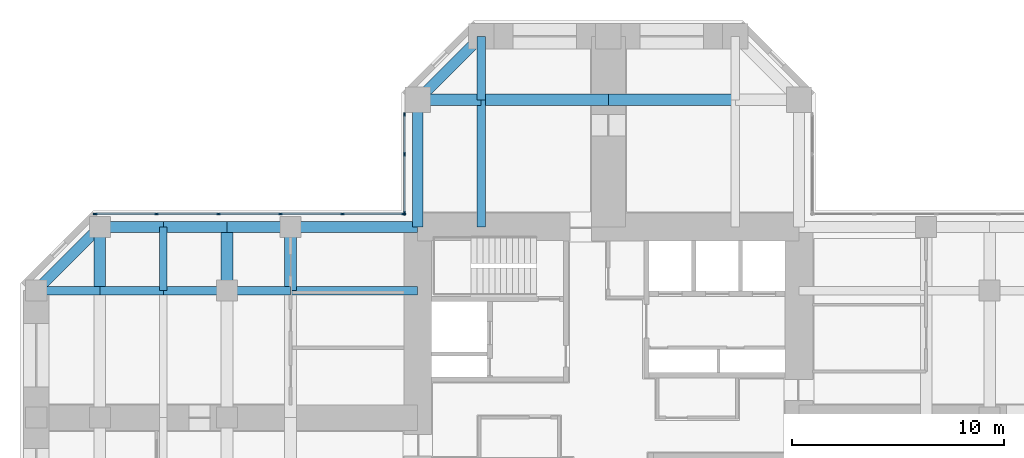
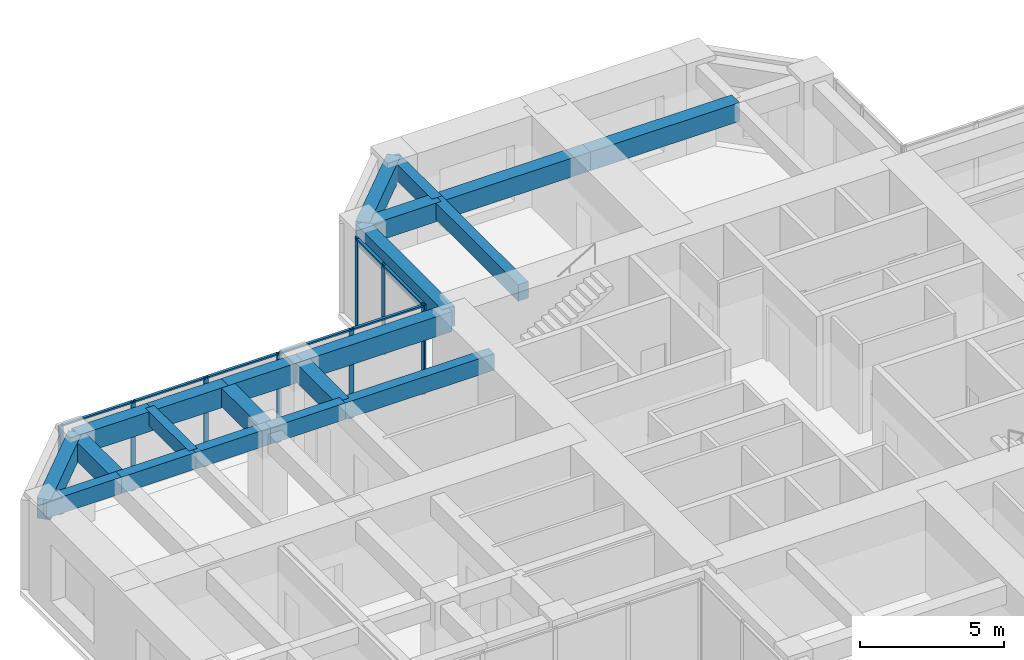
# One storey, part 5 of 12: 21 beams, 16 members, 2 elements without a shape of their own.
"""IFC4 building model written with IfcOpenShell, lengths in metres."""

from ifc_helpers import new_model, si_unit, direction, frame, origin, origin_2d, place, context, subcontext, project, spatial, rectangle, extrude, material, material_profile, profile_set, type_object, element, aggregate, save


model = new_model("IFC4")

# Units and contexts
model_context = context("Model", 3, precision=1e-05, world=origin(), true_north=direction((0.0, 1.0)))
body_context = subcontext(model_context, "Body", "Model", "MODEL_VIEW")
ifc_project = project(units=[si_unit("LENGTHUNIT", "METRE"), si_unit("AREAUNIT", "SQUARE_METRE"), si_unit("VOLUMEUNIT", "CUBIC_METRE"), si_unit("PLANEANGLEUNIT", "RADIAN"), si_unit("MASSUNIT", "GRAM", prefix="KILO")], contexts=[model_context])

# Site, building, storey
site_placement = place(None, origin())
site = spatial("IfcSite", under=ifc_project, at=site_placement, CompositionType="ELEMENT")
building_placement = place(site_placement, origin())
building = spatial("IfcBuilding", under=site, at=building_placement, Name="Torre Cruceta", CompositionType="ELEMENT")
storey_placement = place(building_placement, frame((0.0, 0.0, 104.5)))
storey = spatial("IfcBuildingStorey", under=building, at=storey_placement, Name="L25", CompositionType="ELEMENT", Elevation=104.5)

# Beams
ifc_material_1 = material(Name="Concrete G60 (fck 60 MPa)", Category="concrete")
ifc_material_profile_1 = material_profile(ifc_material_1, rectangle(XDim=0.39990234375, YDim=0.699951171875, at=origin_2d()), Name="RC 400X700")
ifc_profile_set_1 = profile_set([ifc_material_profile_1], Name="Concrete G60 (fck 60 MPa)")
beam_type_1 = type_object("IfcBeamType", Name="COLUMN LINE BEAM RC 400X700", PredefinedType="BEAM", material=ifc_profile_set_1)
beam_1_placement = place(storey_placement, frame((-6.0, 9.0, 3.449951171875), z_axis=(0.0, 1.0, 0.0), x_axis=(-1.0, 0.0, 0.0)))
element("IfcBeam", 1, at=beam_1_placement, inside=storey, type_object=beam_type_1, Name="LB5 L25 N col+ 1", PredefinedType="BEAM", context=body_context, shape_type="SweptSolid", body=[
    extrude(rectangle(XDim=0.39990234375, YDim=0.699951171875, at=origin_2d()), origin(), (0.0, 0.0, 1.0), 6.0),
])
beam_2_placement = place(storey_placement, frame((-6.0, 15.0, 3.449951171875), z_axis=(0.0, 1.0, 0.0), x_axis=(-1.0, 0.0, 0.0)))
element("IfcBeam", 2, at=beam_2_placement, inside=storey, type_object=beam_type_1, Name="LB5 L25 N col+ 2", PredefinedType="BEAM", context=body_context, shape_type="SweptSolid", body=[
    extrude(rectangle(XDim=0.39990234375, YDim=0.699951171875, at=origin_2d()), origin(), (0.0, 0.0, 1.0), 3.0),
])
beam_3_placement = place(storey_placement, frame((-9.0, 6.0, 3.449951171875), z_axis=(-1.0, 0.0, 0.0), x_axis=(0.0, -1.0, 0.0)))
element("IfcBeam", 3, at=beam_3_placement, inside=storey, type_object=beam_type_1, Name="LB5 L25 W col- 1", PredefinedType="BEAM", context=body_context, shape_type="SweptSolid", body=[
    extrude(rectangle(XDim=0.39990234375, YDim=0.699951171875, at=origin_2d()), origin(), (0.0, 0.0, 1.0), 6.0),
])
for number, where, z_axis, x_axis, name in (
    (4, (-15.0, 6.0, 3.449951171875), (-1.0, 0.0, 0.0), (0.0, -1.0, 0.0), "LB5 L25 W col- 2"),
    (5, (-18.0, 6.0, 3.449951171875), (-1.0, 0.0, 0.0), (0.0, -1.0, 0.0), "LB5 L25 W col- 3"),
    (6, (-21.0, 6.0, 3.449951171875), (-1.0, 0.0, 0.0), (0.0, -1.0, 0.0), "LB5 L25 W col- 4"),
    (7, (-24.0, 6.0, 3.449951171875), (-1.0, 0.0, 0.0), (0.0, -1.0, 0.0), "LB5 L25 W col- 5"),
):
    element("IfcBeam", number, at=place(storey_placement, frame(where, z_axis=z_axis, x_axis=x_axis)), inside=storey, type_object=beam_type_1, Name=name, PredefinedType="BEAM", context=body_context, shape_type="SweptSolid", body=[
        extrude(rectangle(XDim=0.39990234375, YDim=0.699951171875, at=origin_2d()), origin(), (0.0, 0.0, 1.0), 3.0),
    ])
ifc_material_2 = material(Name="Concrete G60 (fck 60 MPa)", Category="concrete")
ifc_material_profile_2 = material_profile(ifc_material_2, rectangle(XDim=0.550048828125, YDim=0.800048828125, at=origin_2d()), Name="RC 550X800")
ifc_profile_set_2 = profile_set([ifc_material_profile_2], Name="Concrete G60 (fck 60 MPa)")
beam_type_2 = type_object("IfcBeamType", Name="CROSS BEAM RC 550X800", PredefinedType="BEAM", material=ifc_profile_set_2)
for number, where, z_axis, x_axis, name in (
    (8, (6.0, 15.0, 3.39990234375), (-1.0, 0.0, 0.0), (0.0, -1.0, 0.0), "GB5 L25 N cross15 2"),
    (9, (0.0, 15.0, 3.39990234375), (-1.0, 0.0, 0.0), (0.0, -1.0, 0.0), "GB5 L25 N cross15 3"),
):
    element("IfcBeam", number, at=place(storey_placement, frame(where, z_axis=z_axis, x_axis=x_axis)), inside=storey, type_object=beam_type_2, Name=name, PredefinedType="BEAM", context=body_context, shape_type="SweptSolid", body=[
        extrude(rectangle(XDim=0.550048828125, YDim=0.800048828125, at=origin_2d()), origin(), (0.0, 0.0, 1.0), 6.0),
    ])
for number, where, z_axis, x_axis, name in (
    (10, (-6.0, 15.0, 3.39990234375), (-1.0, 0.0, 0.0), (0.0, -1.0, 0.0), "GB5 L25 N cross15 4"),
    (11, (-15.0, 9.0, 3.39990234375), (0.0, -1.0, 0.0), (1.0, 0.0, 0.0), "GB5 L25 W cross15 1"),
    (12, (-18.0, 9.0, 3.39990234375), (0.0, -1.0, 0.0), (1.0, 0.0, 0.0), "GB5 L25 W cross18 1"),
    (13, (-24.0, 9.0, 3.39990234375), (0.0, -1.0, 0.0), (1.0, 0.0, 0.0), "GB5 L25 W cross24 1"),
):
    element("IfcBeam", number, at=place(storey_placement, frame(where, z_axis=z_axis, x_axis=x_axis)), inside=storey, type_object=beam_type_2, Name=name, PredefinedType="BEAM", context=body_context, shape_type="SweptSolid", body=[
        extrude(rectangle(XDim=0.550048828125, YDim=0.800048828125, at=origin_2d()), origin(), (0.0, 0.0, 1.0), 3.0),
    ])

# Curtain wall, members
ifc_material_3 = material(Name="Aluminium unitised curtain wall", Category="aluminium")
curtain_wall_type = type_object("IfcCurtainWallType", Name="CURTAIN WALL CW-B OFFICE MID RISE", PredefinedType="USERDEFINED", material=ifc_material_3)
curtain_wall_1_placement = place(storey_placement, origin())
curtain_wall_1 = element("IfcCurtainWall", 14, at=curtain_wall_1_placement, inside=storey, type_object=curtain_wall_type, Name="CW-B L25 N side 09", ObjectType="UNITISED", PredefinedType="USERDEFINED")
ifc_material_4 = material(Name="Aluminium mullion", Category="aluminium")
ifc_material_profile_3 = material_profile(ifc_material_4, rectangle(XDim=0.06494140625, YDim=0.179931640625, at=origin_2d()), Name="AL 65X180")
ifc_profile_set_3 = profile_set([ifc_material_profile_3], Name="Aluminium mullion")
member_type_1 = type_object("IfcMemberType", Name="CW-B MULLION 65X180", PredefinedType="MULLION", material=ifc_profile_set_3)
member_1_placement = place(storey_placement, frame((-9.6201171875, 14.30908203125, 0.0), z_axis=(0.0, 0.0, 1.0), x_axis=(1.0, 0.0, 0.0)))
member_1 = element("IfcMember", 15, at=member_1_placement, type_object=member_type_1, Name="CW-B mullion 1", PredefinedType="MULLION", context=body_context, shape_type="SweptSolid", body=[
    extrude(rectangle(XDim=0.06494140625, YDim=0.179931640625, at=origin_2d()), origin(), (0.0, 0.0, 1.0), 3.800048828125),
])
member_2_placement = place(storey_placement, frame((-9.6201171875, 12.4384765625, 0.0), z_axis=(0.0, 0.0, 1.0), x_axis=(1.0, 0.0, 0.0)))
member_2 = element("IfcMember", 16, at=member_2_placement, type_object=member_type_1, Name="CW-B mullion 2", PredefinedType="MULLION", context=body_context, shape_type="SweptSolid", body=[
    extrude(rectangle(XDim=0.06494140625, YDim=0.179931640625, at=origin_2d()), origin(), (0.0, 0.0, 1.0), 3.800048828125),
])
member_3_placement = place(storey_placement, frame((-9.6201171875, 9.652587890625, 0.0), z_axis=(0.0, 0.0, 1.0), x_axis=(1.0, 0.0, 0.0)))
member_3 = element("IfcMember", 17, at=member_3_placement, type_object=member_type_1, Name="CW-B mullion 3", PredefinedType="MULLION", context=body_context, shape_type="SweptSolid", body=[
    extrude(rectangle(XDim=0.06494140625, YDim=0.179931640625, at=origin_2d()), origin(), (0.0, 0.0, 1.0), 3.800048828125),
])

curtain_wall_2_placement = place(storey_placement, origin())
curtain_wall_2 = element("IfcCurtainWall", 18, at=curtain_wall_2_placement, inside=storey, type_object=curtain_wall_type, Name="CW-B L25 W side 10", ObjectType="UNITISED", PredefinedType="USERDEFINED")
member_4_placement = place(storey_placement, frame((-9.652587890625, 9.6201171875, 0.0), z_axis=(0.0, 0.0, 1.0), x_axis=(0.0, -1.0, 0.0)))
member_4 = element("IfcMember", 19, at=member_4_placement, type_object=member_type_1, Name="CW-B mullion 1", PredefinedType="MULLION", context=body_context, shape_type="SweptSolid", body=[
    extrude(rectangle(XDim=0.06494140625, YDim=0.179931640625, at=origin_2d()), origin(), (0.0, 0.0, 1.0), 3.800048828125),
])
member_5_placement = place(storey_placement, frame((-12.54736328125, 9.6201171875, 0.0), z_axis=(0.0, 0.0, 1.0), x_axis=(0.0, -1.0, 0.0)))
member_5 = element("IfcMember", 20, at=member_5_placement, type_object=member_type_1, Name="CW-B mullion 2", PredefinedType="MULLION", context=body_context, shape_type="SweptSolid", body=[
    extrude(rectangle(XDim=0.06494140625, YDim=0.179931640625, at=origin_2d()), origin(), (0.0, 0.0, 1.0), 3.800048828125),
])
member_6_placement = place(storey_placement, frame((-15.474609375, 9.6201171875, 0.0), z_axis=(0.0, 0.0, 1.0), x_axis=(0.0, -1.0, 0.0)))
member_6 = element("IfcMember", 21, at=member_6_placement, type_object=member_type_1, Name="CW-B mullion 3", PredefinedType="MULLION", context=body_context, shape_type="SweptSolid", body=[
    extrude(rectangle(XDim=0.06494140625, YDim=0.179931640625, at=origin_2d()), origin(), (0.0, 0.0, 1.0), 3.800048828125),
])
member_7_placement = place(storey_placement, frame((-18.402099609375, 9.6201171875, 0.0), z_axis=(0.0, 0.0, 1.0), x_axis=(0.0, -1.0, 0.0)))
member_7 = element("IfcMember", 22, at=member_7_placement, type_object=member_type_1, Name="CW-B mullion 4", PredefinedType="MULLION", context=body_context, shape_type="SweptSolid", body=[
    extrude(rectangle(XDim=0.06494140625, YDim=0.179931640625, at=origin_2d()), origin(), (0.0, 0.0, 1.0), 3.800048828125),
])
member_8_placement = place(storey_placement, frame((-21.329345703125, 9.6201171875, 0.0), z_axis=(0.0, 0.0, 1.0), x_axis=(0.0, -1.0, 0.0)))
member_8 = element("IfcMember", 23, at=member_8_placement, type_object=member_type_1, Name="CW-B mullion 5", PredefinedType="MULLION", context=body_context, shape_type="SweptSolid", body=[
    extrude(rectangle(XDim=0.06494140625, YDim=0.179931640625, at=origin_2d()), origin(), (0.0, 0.0, 1.0), 3.800048828125),
])
member_9_placement = place(storey_placement, frame((-24.224365234375, 9.6201171875, 0.0), z_axis=(0.0, 0.0, 1.0), x_axis=(0.0, -1.0, 0.0)))
member_9 = element("IfcMember", 24, at=member_9_placement, type_object=member_type_1, Name="CW-B mullion 6", PredefinedType="MULLION", context=body_context, shape_type="SweptSolid", body=[
    extrude(rectangle(XDim=0.06494140625, YDim=0.179931640625, at=origin_2d()), origin(), (0.0, 0.0, 1.0), 3.800048828125),
])

# Member
ifc_material_5 = material(Name="Aluminium transom", Category="aluminium")
ifc_material_profile_4 = material_profile(ifc_material_5, rectangle(XDim=0.110107421875, YDim=0.06494140625, at=origin_2d()), Name="AL 110X65")
ifc_profile_set_4 = profile_set([ifc_material_profile_4], Name="Aluminium transom")
member_type_2 = type_object("IfcMemberType", Name="CW-B TRANSOM 65X110", PredefinedType="USERDEFINED", material=ifc_profile_set_4)
member_10_placement = place(storey_placement, frame((-9.6201171875, 14.276611328125, 3.767578125), z_axis=(0.0, -1.0, 0.0), x_axis=(1.0, 0.0, 0.0)))
member_10 = element("IfcMember", 25, at=member_10_placement, type_object=member_type_2, Name="CW-B transom 1", ObjectType="TRANSOM", PredefinedType="USERDEFINED", context=body_context, shape_type="SweptSolid", body=[
    extrude(rectangle(XDim=0.110107421875, YDim=0.06494140625, at=origin_2d()), origin(), (0.0, 0.0, 1.0), 1.8056640625),
])

member_11_placement = place(storey_placement, frame((-9.6201171875, 12.406005859375, 3.767578125), z_axis=(0.0, -1.0, 0.0), x_axis=(1.0, 0.0, 0.0)))
member_11 = element("IfcMember", 26, at=member_11_placement, type_object=member_type_2, Name="CW-B transom 2", ObjectType="TRANSOM", PredefinedType="USERDEFINED", context=body_context, shape_type="SweptSolid", body=[
    extrude(rectangle(XDim=0.110107421875, YDim=0.06494140625, at=origin_2d()), origin(), (0.0, 0.0, 1.0), 2.720947265625),
])

aggregate(curtain_wall_1, [member_1, member_2, member_3, member_10, member_11])

member_12_placement = place(storey_placement, frame((-9.68505859375, 9.6201171875, 3.767578125), z_axis=(-1.0, 0.0, 0.0), x_axis=(0.0, -1.0, 0.0)))
member_12 = element("IfcMember", 27, at=member_12_placement, type_object=member_type_2, Name="CW-B transom 1", ObjectType="TRANSOM", PredefinedType="USERDEFINED", context=body_context, shape_type="SweptSolid", body=[
    extrude(rectangle(XDim=0.110107421875, YDim=0.06494140625, at=origin_2d()), origin(), (0.0, 0.0, 1.0), 2.829833984375),
])

member_13_placement = place(storey_placement, frame((-12.579833984375, 9.6201171875, 3.767578125), z_axis=(-1.0, 0.0, 0.0), x_axis=(0.0, -1.0, 0.0)))
member_13 = element("IfcMember", 28, at=member_13_placement, type_object=member_type_2, Name="CW-B transom 2", ObjectType="TRANSOM", PredefinedType="USERDEFINED", context=body_context, shape_type="SweptSolid", body=[
    extrude(rectangle(XDim=0.110107421875, YDim=0.06494140625, at=origin_2d()), origin(), (0.0, 0.0, 1.0), 2.8623046875),
])

member_14_placement = place(storey_placement, frame((-15.50732421875, 9.6201171875, 3.767578125), z_axis=(-1.0, 0.0, 0.0), x_axis=(0.0, -1.0, 0.0)))
member_14 = element("IfcMember", 29, at=member_14_placement, type_object=member_type_2, Name="CW-B transom 3", ObjectType="TRANSOM", PredefinedType="USERDEFINED", context=body_context, shape_type="SweptSolid", body=[
    extrude(rectangle(XDim=0.110107421875, YDim=0.06494140625, at=origin_2d()), origin(), (0.0, 0.0, 1.0), 2.8623046875),
])

member_15_placement = place(storey_placement, frame((-18.4345703125, 9.6201171875, 3.767578125), z_axis=(-1.0, 0.0, 0.0), x_axis=(0.0, -1.0, 0.0)))
member_15 = element("IfcMember", 30, at=member_15_placement, type_object=member_type_2, Name="CW-B transom 4", ObjectType="TRANSOM", PredefinedType="USERDEFINED", context=body_context, shape_type="SweptSolid", body=[
    extrude(rectangle(XDim=0.110107421875, YDim=0.06494140625, at=origin_2d()), origin(), (0.0, 0.0, 1.0), 2.8623046875),
])

member_16_placement = place(storey_placement, frame((-21.362060546875, 9.6201171875, 3.767578125), z_axis=(-1.0, 0.0, 0.0), x_axis=(0.0, -1.0, 0.0)))
member_16 = element("IfcMember", 31, at=member_16_placement, type_object=member_type_2, Name="CW-B transom 5", ObjectType="TRANSOM", PredefinedType="USERDEFINED", context=body_context, shape_type="SweptSolid", body=[
    extrude(rectangle(XDim=0.110107421875, YDim=0.06494140625, at=origin_2d()), origin(), (0.0, 0.0, 1.0), 2.829833984375),
])

aggregate(curtain_wall_2, [member_4, member_5, member_6, member_7, member_8, member_9, member_12, member_13, member_14, member_15, member_16])

# Beams
ifc_material_6 = material(Name="Concrete G60 (fck 60 MPa)", Category="concrete")
ifc_material_profile_5 = material_profile(ifc_material_6, rectangle(XDim=0.35009765625, YDim=0.60009765625, at=origin_2d()), Name="RC 350X600")
ifc_profile_set_5 = profile_set([ifc_material_profile_5], Name="Concrete G60 (fck 60 MPa)")
beam_type_3 = type_object("IfcBeamType", Name="SECONDARY BEAM RC 350X600", PredefinedType="JOIST", material=ifc_profile_set_5)
beam_4_placement = place(storey_placement, frame((-21.0, 9.0, 3.5), z_axis=(0.0, -1.0, 0.0), x_axis=(1.0, 0.0, 0.0)))
element("IfcBeam", 32, at=beam_4_placement, inside=storey, type_object=beam_type_3, Name="JB5 L25 W sec21 1", PredefinedType="JOIST", context=body_context, shape_type="SweptSolid", body=[
    extrude(rectangle(XDim=0.35009765625, YDim=0.60009765625, at=origin_2d()), origin(), (0.0, 0.0, 1.0), 3.0),
])
ifc_material_7 = material(Name="Concrete G60 (fck 60 MPa)", Category="concrete")
ifc_material_profile_6 = material_profile(ifc_material_7, rectangle(XDim=0.5, YDim=0.85009765625, at=origin_2d()), Name="RC 500X850")
ifc_profile_set_6 = profile_set([ifc_material_profile_6], Name="Concrete G60 (fck 60 MPa)")
beam_type_4 = type_object("IfcBeamType", Name="SPANDREL BEAM RC 500X850", PredefinedType="SPANDREL", material=ifc_profile_set_6)
beam_5_placement = place(storey_placement, frame((-9.0, 9.0, 3.375), z_axis=(0.0, 1.0, 0.0), x_axis=(-1.0, 0.0, 0.0)))
element("IfcBeam", 33, at=beam_5_placement, inside=storey, type_object=beam_type_4, Name="SB5 L25 N side+ 1", PredefinedType="SPANDREL", context=body_context, shape_type="SweptSolid", body=[
    extrude(rectangle(XDim=0.5, YDim=0.85009765625, at=origin_2d()), origin(), (0.0, 0.0, 1.0), 6.0),
])
beam_6_placement = place(storey_placement, frame((-9.0, 15.0, 3.375), z_axis=(0.707106781187, 0.707106781187, 0.0), x_axis=(-0.707106781187, 0.707106781187, 0.0)))
element("IfcBeam", 34, at=beam_6_placement, inside=storey, type_object=beam_type_4, Name="SB5 L25 N side+ 2", PredefinedType="SPANDREL", context=body_context, shape_type="SweptSolid", body=[
    extrude(rectangle(XDim=0.5, YDim=0.85009765625, at=origin_2d()), origin(), (0.0, 0.0, 1.0), 4.24267578125),
])
beam_7_placement = place(storey_placement, frame((-9.0, 9.0, 3.375), z_axis=(-1.0, 0.0, 0.0), x_axis=(0.0, -1.0, 0.0)))
element("IfcBeam", 35, at=beam_7_placement, inside=storey, type_object=beam_type_4, Name="SB5 L25 W side- 1", PredefinedType="SPANDREL", context=body_context, shape_type="SweptSolid", body=[
    extrude(rectangle(XDim=0.5, YDim=0.85009765625, at=origin_2d()), origin(), (0.0, 0.0, 1.0), 6.0),
])
for number, where, z_axis, x_axis, name in (
    (36, (-15.0, 9.0, 3.375), (-1.0, 0.0, 0.0), (0.0, -1.0, 0.0), "SB5 L25 W side- 2"),
    (37, (-18.0, 9.0, 3.375), (-1.0, 0.0, 0.0), (0.0, -1.0, 0.0), "SB5 L25 W side- 3"),
    (38, (-21.0, 9.0, 3.375), (-1.0, 0.0, 0.0), (0.0, -1.0, 0.0), "SB5 L25 W side- 4"),
):
    element("IfcBeam", number, at=place(storey_placement, frame(where, z_axis=z_axis, x_axis=x_axis)), inside=storey, type_object=beam_type_4, Name=name, PredefinedType="SPANDREL", context=body_context, shape_type="SweptSolid", body=[
        extrude(rectangle(XDim=0.5, YDim=0.85009765625, at=origin_2d()), origin(), (0.0, 0.0, 1.0), 3.0),
    ])
beam_8_placement = place(storey_placement, frame((-24.0, 9.0, 3.375), z_axis=(-0.707106781187, -0.707106781187, 0.0), x_axis=(0.707106781187, -0.707106781187, 0.0)))
element("IfcBeam", 39, at=beam_8_placement, inside=storey, type_object=beam_type_4, Name="SB5 L25 W side- 5", PredefinedType="SPANDREL", context=body_context, shape_type="SweptSolid", body=[
    extrude(rectangle(XDim=0.5, YDim=0.85009765625, at=origin_2d()), origin(), (0.0, 0.0, 1.0), 4.24267578125),
])

save(model, "model.ifc")
